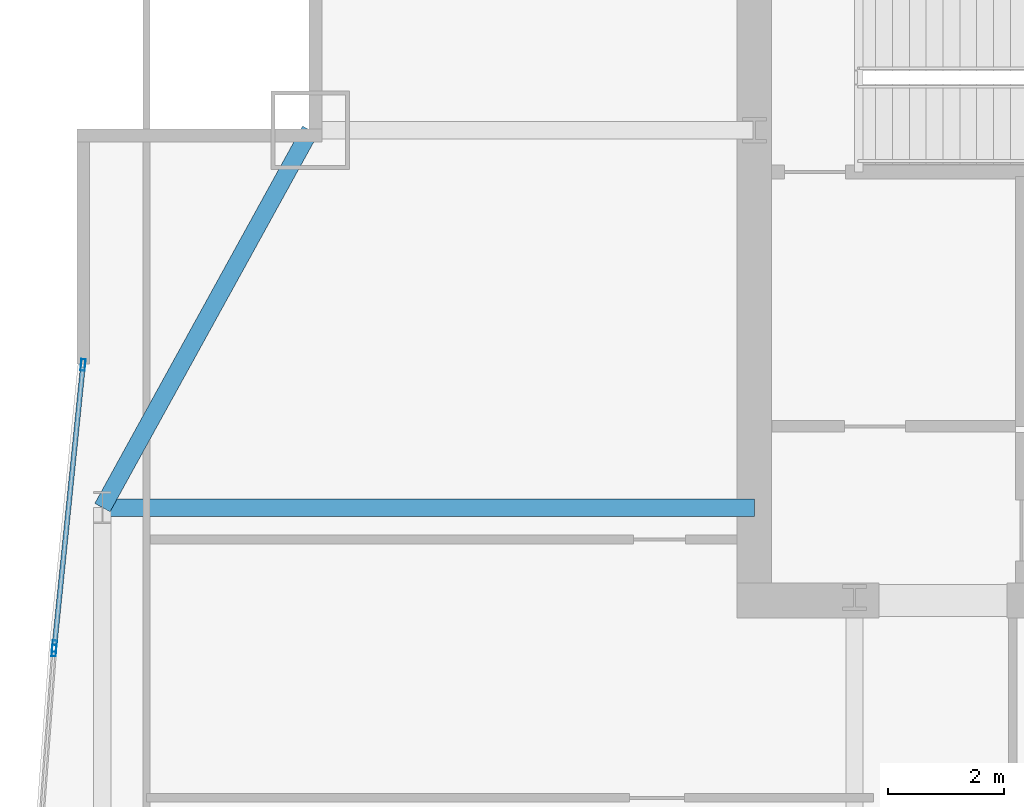
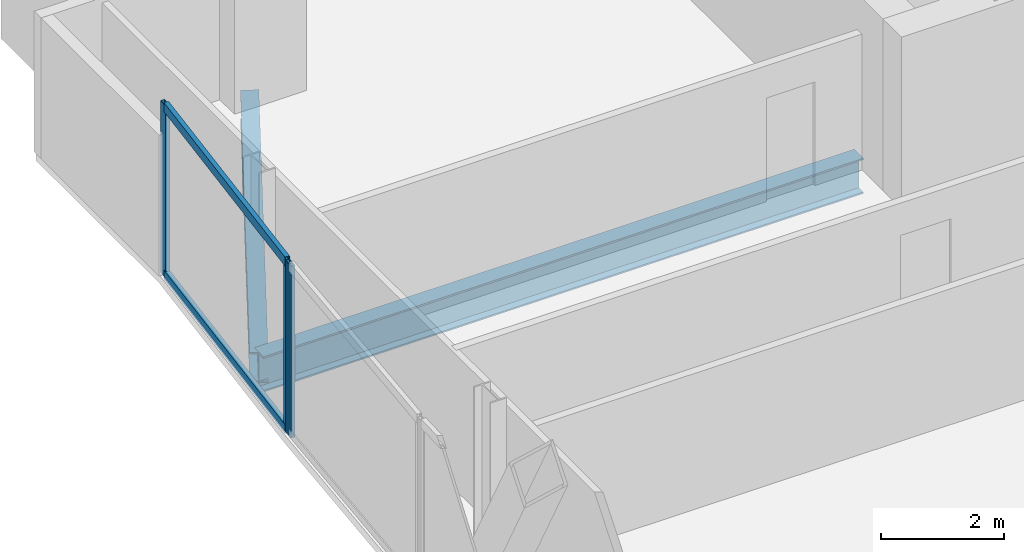
# One storey, part 17 of 29: 5 members, 2 beams, 2 elements without a shape of their own.
"""IFC4 building model written with IfcOpenShell, lengths in metres."""

from ifc_helpers import new_model, si_unit, direction, frame, origin, origin_2d, place, context, subcontext, project, spatial, hollow_rectangle, i_section, extrude, material, material_profile, profile_set, type_object, element, aggregate, save


model = new_model("IFC4")

# Units and contexts
model_context = context("Model", 3, precision=1e-05, world=origin(), true_north=direction((0.0, 1.0)))
body_context = subcontext(model_context, "Body", "Model", "MODEL_VIEW")
ifc_project = project(units=[si_unit("LENGTHUNIT", "METRE"), si_unit("AREAUNIT", "SQUARE_METRE"), si_unit("VOLUMEUNIT", "CUBIC_METRE"), si_unit("PLANEANGLEUNIT", "RADIAN"), si_unit("MASSUNIT", "GRAM", prefix="KILO")], contexts=[model_context])

# Site, building, storey
site_placement = place(None, origin())
site = spatial("IfcSite", under=ifc_project, at=site_placement, CompositionType="ELEMENT")
building_placement = place(site_placement, origin())
building = spatial("IfcBuilding", under=site, at=building_placement, Name="Khoronbel Lancet Exchange", CompositionType="ELEMENT")
storey_placement = place(building_placement, frame((0.0, 0.0, 180.60009765625)))
storey = spatial("IfcBuildingStorey", under=building, at=storey_placement, Name="L45", CompositionType="ELEMENT", Elevation=180.60009765625)

# Beams
ifc_material_1 = material(Name="Steel S355", Category="steel")
ifc_material_profile_1 = material_profile(ifc_material_1, i_section(OverallWidth=0.300048828125, OverallDepth=0.699951171875, WebThickness=0.01708984375, FlangeThickness=0.031982421875, at=origin_2d()), Name="HEB 700")
ifc_profile_set_1 = profile_set([ifc_material_profile_1], Name="Steel S355")
beam_type_1 = type_object("IfcBeamType", Name="BM-BG3", PredefinedType="BEAM", material=ifc_profile_set_1)
beam_1_placement = place(storey_placement, frame((5.27001953125, 43.199951171875, -0.510009765625), z_axis=(1.0, 0.0, 0.0), x_axis=(0.0, 1.0, 0.0)))
element("IfcBeam", 1, at=beam_1_placement, inside=storey, type_object=beam_type_1, Name="Level L45 west lens tie girder LG3W", PredefinedType="BEAM", context=body_context, shape_type="SweptSolid", body=[
    extrude(i_section(OverallWidth=0.300048828125, OverallDepth=0.699951171875, WebThickness=0.01708984375, FlangeThickness=0.031982421875, at=origin_2d()), origin(), (0.0, 0.0, 1.0), 11.22998046875),
])
ifc_material_profile_2 = material_profile(ifc_material_1, i_section(OverallWidth=0.300048828125, OverallDepth=0.60009765625, WebThickness=0.015380859375, FlangeThickness=0.030029296875, at=origin_2d()), Name="HEB 600")
ifc_profile_set_2 = profile_set([ifc_material_profile_2], Name="Steel S355")
beam_type_2 = type_object("IfcBeamType", Name="BM-BSP2", PredefinedType="SPANDREL", material=ifc_profile_set_2)
beam_2_placement = place(storey_placement, frame((8.85009765625, 49.699951171875, -0.460205078125), z_axis=(-0.482444051088, -0.875926787791, 0.0), x_axis=(0.875926787791, -0.482444051088, 0.0)))
element("IfcBeam", 2, at=beam_2_placement, inside=storey, type_object=beam_type_2, Name="Level L45 perimeter spandrel beam SP16", PredefinedType="SPANDREL", context=body_context, shape_type="SweptSolid", body=[
    extrude(i_section(OverallWidth=0.300048828125, OverallDepth=0.60009765625, WebThickness=0.015380859375, FlangeThickness=0.030029296875, at=origin_2d()), origin(), (0.0, 0.0, 1.0), 7.420654296875),
])

# Curtain wall, member
ifc_material_2 = material(Name="Low-E Solar Control Insulating Glass", Category="glass")
curtain_wall_type = type_object("IfcCurtainWallType", Name="CW-4", PredefinedType="NOTDEFINED", material=ifc_material_2)
curtain_wall_1_placement = place(storey_placement, origin())
curtain_wall_1 = element("IfcCurtainWall", 3, at=curtain_wall_1_placement, inside=storey, type_object=curtain_wall_type, Name="Unitised curtain wall CW-L45-E08", PredefinedType="NOTDEFINED")
ifc_material_3 = material(Name="Bronze-Anodised Aluminium 6063-T6", Category="aluminium")
ifc_material_profile_3 = material_profile(ifc_material_3, hollow_rectangle(XDim=0.074951171875, YDim=0.199951171875, WallThickness=0.0048828125, at=origin_2d()), Name="ALU MULLION 75x200")
ifc_profile_set_3 = profile_set([ifc_material_profile_3], Name="Bronze-Anodised Aluminium 6063-T6")
member_type_1 = type_object("IfcMemberType", Name="MEM-CWM2", PredefinedType="MULLION", material=ifc_profile_set_3)
member_1_placement = place(storey_placement, frame((4.43701171875, 40.738037109375, 0.0), z_axis=(0.0, 0.0, 1.0), x_axis=(-0.99723999443, 0.074245494873, 0.0)))
member_1 = element("IfcMember", 4, at=member_1_placement, type_object=member_type_1, Name="CW4 mullion 2", PredefinedType="MULLION", context=body_context, shape_type="SweptSolid", body=[
    extrude(hollow_rectangle(XDim=0.074951171875, YDim=0.199951171875, WallThickness=0.0048828125, at=origin_2d()), origin(), (0.0, 0.0, 1.0), 3.39990234375),
])
aggregate(curtain_wall_1, [member_1])

# Curtain wall, members
curtain_wall_2_placement = place(storey_placement, origin())
curtain_wall_2 = element("IfcCurtainWall", 5, at=curtain_wall_2_placement, inside=storey, type_object=curtain_wall_type, Name="Unitised curtain wall CW-L45-E09", PredefinedType="NOTDEFINED")
member_2_placement = place(storey_placement, frame((4.443603515625, 40.812744140625, 0.0), z_axis=(0.0, 0.0, 1.0), x_axis=(-0.994869630688, 0.101165300055, 0.0)))
member_2 = element("IfcMember", 6, at=member_2_placement, type_object=member_type_1, Name="CW4 mullion 1", PredefinedType="MULLION", context=body_context, shape_type="SweptSolid", body=[
    extrude(hollow_rectangle(XDim=0.074951171875, YDim=0.199951171875, WallThickness=0.0048828125, at=origin_2d()), origin(), (0.0, 0.0, 1.0), 3.39990234375),
])
member_3_placement = place(storey_placement, frame((4.936279296875, 45.658203125, 0.0), z_axis=(0.0, 0.0, 1.0), x_axis=(-0.994869630688, 0.101165300055, 0.0)))
member_3 = element("IfcMember", 7, at=member_3_placement, type_object=member_type_1, Name="CW4 mullion 2", PredefinedType="MULLION", context=body_context, shape_type="SweptSolid", body=[
    extrude(hollow_rectangle(XDim=0.074951171875, YDim=0.199951171875, WallThickness=0.0048828125, at=origin_2d()), origin(), (0.0, 0.0, 1.0), 3.39990234375),
])
ifc_material_profile_4 = material_profile(ifc_material_3, hollow_rectangle(XDim=0.0849609375, YDim=0.179931640625, WallThickness=0.0048828125, at=origin_2d()), Name="ALU TRANSOM 85x180")
ifc_profile_set_4 = profile_set([ifc_material_profile_4], Name="Bronze-Anodised Aluminium 6063-T6")
member_type_2 = type_object("IfcMemberType", Name="MEM-CWT1", PredefinedType="USERDEFINED", material=ifc_profile_set_4)
member_4_placement = place(storey_placement, frame((4.447265625, 40.85009765625, 0.04248046875), z_axis=(0.101161999035, 0.994869966353, 0.0), x_axis=(-0.994869966353, 0.101161999035, 0.0)))
member_4 = element("IfcMember", 8, at=member_4_placement, type_object=member_type_2, Name="CW4 transom 1.1", ObjectType="TRANSOM", PredefinedType="USERDEFINED", context=body_context, shape_type="SweptSolid", body=[
    extrude(hollow_rectangle(XDim=0.0849609375, YDim=0.179931640625, WallThickness=0.0048828125, at=origin_2d()), origin(), (0.0, 0.0, 1.0), 4.79541015625),
])
member_5_placement = place(storey_placement, frame((4.447265625, 40.85009765625, 3.357421875), z_axis=(0.101161999035, 0.994869966353, 0.0), x_axis=(-0.994869966353, 0.101161999035, 0.0)))
member_5 = element("IfcMember", 9, at=member_5_placement, type_object=member_type_2, Name="CW4 transom 1.2", ObjectType="TRANSOM", PredefinedType="USERDEFINED", context=body_context, shape_type="SweptSolid", body=[
    extrude(hollow_rectangle(XDim=0.0849609375, YDim=0.179931640625, WallThickness=0.0048828125, at=origin_2d()), origin(), (0.0, 0.0, 1.0), 4.79541015625),
])
aggregate(curtain_wall_2, [member_2, member_3, member_4, member_5])

save(model, "model.ifc")
